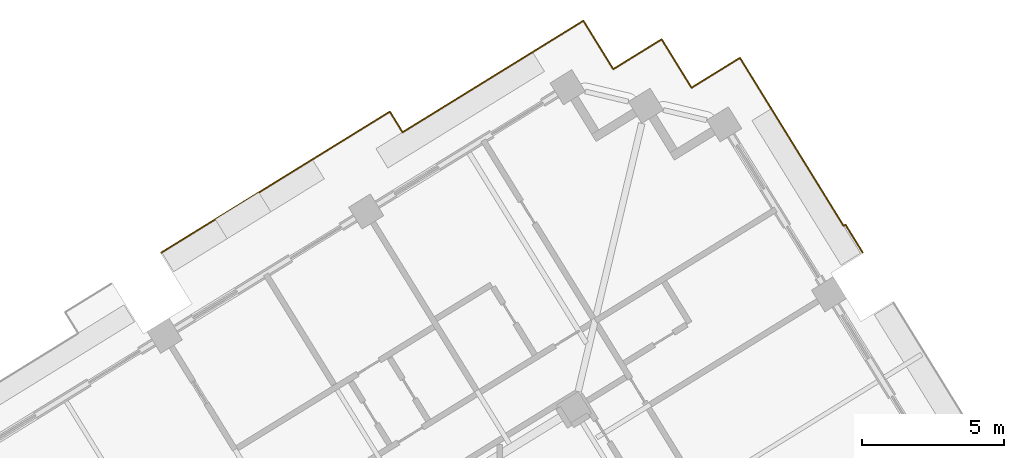
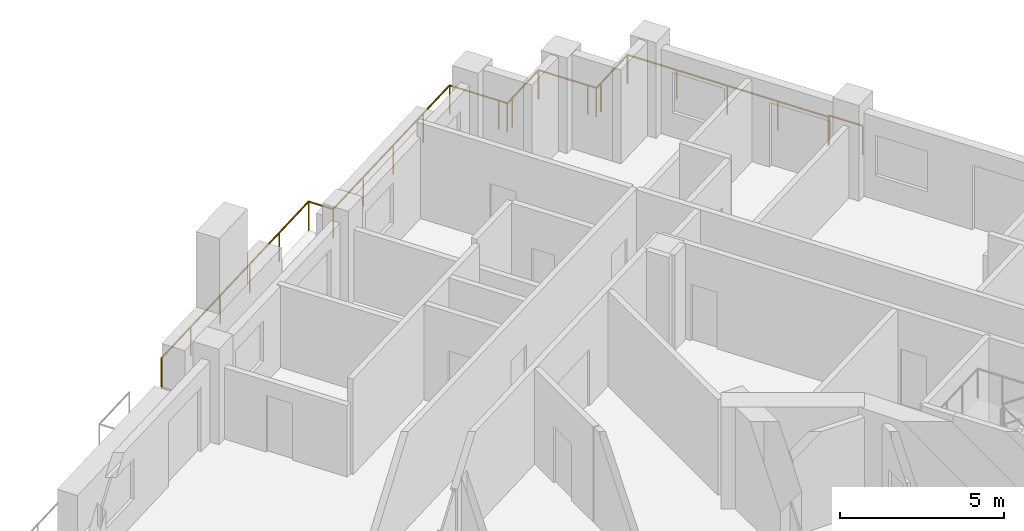
# One storey, part 21 of 22: 2 railings.
"""IFC4 building model written with IfcOpenShell, lengths in metres."""

from ifc_helpers import new_model, si_unit, direction, frame, origin, origin_2d, place, context, subcontext, project, spatial, circle, extrude, material, type_object, element, save


model = new_model("IFC4")

# Units and contexts
model_context = context("Model", 3, precision=1e-05, world=origin(), true_north=direction((0.0, 1.0)))
body_context = subcontext(model_context, "Body", "Model", "MODEL_VIEW")
ifc_project = project(units=[si_unit("LENGTHUNIT", "METRE"), si_unit("AREAUNIT", "SQUARE_METRE"), si_unit("VOLUMEUNIT", "CUBIC_METRE"), si_unit("PLANEANGLEUNIT", "RADIAN"), si_unit("MASSUNIT", "GRAM", prefix="KILO")], contexts=[model_context])

# Site, building, storey
site_placement = place(None, origin())
site = spatial("IfcSite", under=ifc_project, at=site_placement, CompositionType="ELEMENT")
building_placement = place(site_placement, origin())
building = spatial("IfcBuilding", under=site, at=building_placement, Name="Cantera Rosa Tower", CompositionType="ELEMENT")
storey_placement = place(building_placement, frame((0.0, 0.0, 174.199951171875)))
storey = spatial("IfcBuildingStorey", under=building, at=storey_placement, Name="L38", CompositionType="ELEMENT", Elevation=174.199951171875)

# Railings
ifc_material = material(Name="Stainless steel and laminated glass", Category="steel")
railing_type = type_object("IfcRailingType", Name="GUARD 1100", PredefinedType="BALUSTRADE", material=ifc_material)
railing_1_placement = place(storey_placement, frame((12.44873046875, 30.2958984375, 0.0)))
element("IfcRailing", 1, at=railing_1_placement, inside=storey, type_object=railing_type, Name="GUARD L38-14", PredefinedType="BALUSTRADE", context=body_context, shape_type="SweptSolid", body=[
    extrude(circle(Radius=0.030029296875, at=origin_2d()), frame((0.0, 0.0, 1.070068359375), z_axis=(0.524994468487, -0.851105638601, 0.0), x_axis=(0.851105638601, 0.524994468487, 0.0)), (0.0, 0.0, 1.0), 1.7001953125),
    extrude(circle(Radius=0.030029296875, at=origin_2d()), frame((0.892578125, -1.447021484375, 1.070068359375), z_axis=(0.524980961903, -0.85111396983, 0.0), x_axis=(0.85111396983, 0.524980961903, 0.0)), (0.0, 0.0, 1.0), 5.240234375),
    extrude(circle(Radius=0.030029296875, at=origin_2d()), frame((3.6435546875, -5.906982421875, 1.070068359375), z_axis=(0.851763497745, 0.523926468037, 0.0), x_axis=(-0.523926468037, 0.851763497745, 0.0)), (0.0, 0.0, 1.0), 0.07958984375),
    extrude(circle(Radius=0.030029296875, at=origin_2d()), frame((3.71142578125, -5.865234375, 1.070068359375), z_axis=(0.524950242429, -0.851132917336, 0.0), x_axis=(0.851132917336, 0.524950242429, 0.0)), (0.0, 0.0, 1.0), 1.149658203125),
    extrude(circle(Radius=0.02490234375, at=origin_2d()), origin(), (0.0, 0.0, 1.0), 1.0400390625),
    extrude(circle(Radius=0.02490234375, at=origin_2d()), frame((0.892578125, -1.447021484375, 0.0)), (0.0, 0.0, 1.0), 1.0400390625),
    extrude(circle(Radius=0.02490234375, at=origin_2d()), frame((1.8095703125, -2.93359375, 0.0)), (0.0, 0.0, 1.0), 1.0400390625),
    extrude(circle(Radius=0.02490234375, at=origin_2d()), frame((2.7265625, -4.42041015625, 0.0)), (0.0, 0.0, 1.0), 1.0400390625),
    extrude(circle(Radius=0.02490234375, at=origin_2d()), frame((3.6435546875, -5.906982421875, 0.0)), (0.0, 0.0, 1.0), 1.0400390625),
    extrude(circle(Radius=0.02490234375, at=origin_2d()), frame((3.71142578125, -5.865234375, 0.0)), (0.0, 0.0, 1.0), 1.0400390625),
    extrude(circle(Radius=0.02490234375, at=origin_2d()), frame((4.31494140625, -6.84375, 0.0)), (0.0, 0.0, 1.0), 1.0400390625),
])
railing_2_placement = place(storey_placement, frame((-7.895263671875, 23.447998046875, 0.0)))
element("IfcRailing", 2, at=railing_2_placement, inside=storey, type_object=railing_type, Name="GUARD L38-15", PredefinedType="BALUSTRADE", context=body_context, shape_type="SweptSolid", body=[
    extrude(circle(Radius=0.030029296875, at=origin_2d()), frame((0.0, 0.0, 1.070068359375), z_axis=(0.851115414327, 0.524978620035, 0.0), x_axis=(-0.524978620035, 0.851115414327, 0.0)), (0.0, 0.0, 1.0), 9.44189453125),
    extrude(circle(Radius=0.030029296875, at=origin_2d()), frame((8.0361328125, 4.956787109375, 1.070068359375), z_axis=(0.525120578111, -0.851027836469, 0.0), x_axis=(0.851027836469, 0.525120578111, 0.0)), (0.0, 0.0, 1.0), 0.851806640625),
    extrude(circle(Radius=0.030029296875, at=origin_2d()), frame((8.4833984375, 4.23193359375, 1.070068359375), z_axis=(0.851124537433, 0.524963829021, 0.0), x_axis=(-0.524963829021, 0.851124537433, 0.0)), (0.0, 0.0, 1.0), 5.76806640625),
    extrude(circle(Radius=0.030029296875, at=origin_2d()), frame((13.392822265625, 7.260009765625, 1.070068359375), z_axis=(0.851130227454, 0.524954603669, 0.0), x_axis=(-0.524954603669, 0.851130227454, 0.0)), (0.0, 0.0, 1.0), 1.699951171875),
    extrude(circle(Radius=0.030029296875, at=origin_2d()), frame((14.839599609375, 8.15234375, 1.070068359375), z_axis=(0.525058638144, -0.851066052965, 0.0), x_axis=(0.851066052965, 0.525058638144, 0.0)), (0.0, 0.0, 1.0), 1.699951171875),
    extrude(circle(Radius=0.030029296875, at=origin_2d()), frame((15.732177734375, 6.70556640625, 1.070068359375), z_axis=(0.524869051004, -0.85118298814, 0.0), x_axis=(0.85118298814, 0.524869051004, 0.0)), (0.0, 0.0, 1.0), 0.300048828125),
    extrude(circle(Radius=0.030029296875, at=origin_2d()), frame((15.8896484375, 6.4501953125, 1.070068359375), z_axis=(0.85118298814, 0.524869051004, 0.0), x_axis=(-0.524869051004, 0.85118298814, 0.0)), (0.0, 0.0, 1.0), 0.300048828125),
    extrude(circle(Radius=0.030029296875, at=origin_2d()), frame((16.14501953125, 6.607666015625, 1.070068359375), z_axis=(0.851066052965, 0.525058638144, 0.0), x_axis=(-0.525058638144, 0.851066052965, 0.0)), (0.0, 0.0, 1.0), 1.699951171875),
    extrude(circle(Radius=0.030029296875, at=origin_2d()), frame((17.591796875, 7.500244140625, 1.070068359375), z_axis=(0.524994468487, -0.851105638601, 0.0), x_axis=(0.851105638601, 0.524994468487, 0.0)), (0.0, 0.0, 1.0), 1.7001953125),
    extrude(circle(Radius=0.030029296875, at=origin_2d()), frame((18.484375, 6.05322265625, 1.070068359375), z_axis=(0.524869051004, -0.85118298814, 0.0), x_axis=(0.85118298814, 0.524869051004, 0.0)), (0.0, 0.0, 1.0), 0.300048828125),
    extrude(circle(Radius=0.030029296875, at=origin_2d()), frame((18.641845703125, 5.7978515625, 1.070068359375), z_axis=(0.85118298814, 0.524869051004, 0.0), x_axis=(-0.524869051004, 0.85118298814, 0.0)), (0.0, 0.0, 1.0), 0.300048828125),
    extrude(circle(Radius=0.030029296875, at=origin_2d()), frame((18.897216796875, 5.955322265625, 1.070068359375), z_axis=(0.851066052965, 0.525058638144, 0.0), x_axis=(-0.525058638144, 0.851066052965, 0.0)), (0.0, 0.0, 1.0), 1.699951171875),
    extrude(circle(Radius=0.02490234375, at=origin_2d()), origin(), (0.0, 0.0, 1.0), 1.0400390625),
    extrude(circle(Radius=0.02490234375, at=origin_2d()), frame((1.607177734375, 0.991455078125, 0.0)), (0.0, 0.0, 1.0), 1.0400390625),
    extrude(circle(Radius=0.02490234375, at=origin_2d()), frame((3.21435546875, 1.982666015625, 0.0)), (0.0, 0.0, 1.0), 1.0400390625),
    extrude(circle(Radius=0.02490234375, at=origin_2d()), frame((4.82177734375, 2.97412109375, 0.0)), (0.0, 0.0, 1.0), 1.0400390625),
    extrude(circle(Radius=0.02490234375, at=origin_2d()), frame((6.428955078125, 3.96533203125, 0.0)), (0.0, 0.0, 1.0), 1.0400390625),
    extrude(circle(Radius=0.02490234375, at=origin_2d()), frame((8.0361328125, 4.956787109375, 0.0)), (0.0, 0.0, 1.0), 1.0400390625),
    extrude(circle(Radius=0.02490234375, at=origin_2d()), frame((8.4833984375, 4.23193359375, 0.0)), (0.0, 0.0, 1.0), 1.0400390625),
    extrude(circle(Radius=0.02490234375, at=origin_2d()), frame((10.119873046875, 5.2412109375, 0.0)), (0.0, 0.0, 1.0), 1.0400390625),
    extrude(circle(Radius=0.02490234375, at=origin_2d()), frame((11.75634765625, 6.250732421875, 0.0)), (0.0, 0.0, 1.0), 1.0400390625),
    extrude(circle(Radius=0.02490234375, at=origin_2d()), frame((13.392822265625, 7.260009765625, 0.0)), (0.0, 0.0, 1.0), 1.0400390625),
    extrude(circle(Radius=0.02490234375, at=origin_2d()), frame((14.839599609375, 8.15234375, 0.0)), (0.0, 0.0, 1.0), 1.0400390625),
    extrude(circle(Radius=0.02490234375, at=origin_2d()), frame((15.732177734375, 6.70556640625, 0.0)), (0.0, 0.0, 1.0), 1.0400390625),
    extrude(circle(Radius=0.02490234375, at=origin_2d()), frame((15.8896484375, 6.4501953125, 0.0)), (0.0, 0.0, 1.0), 1.0400390625),
    extrude(circle(Radius=0.02490234375, at=origin_2d()), frame((16.14501953125, 6.607666015625, 0.0)), (0.0, 0.0, 1.0), 1.0400390625),
    extrude(circle(Radius=0.02490234375, at=origin_2d()), frame((17.591796875, 7.500244140625, 0.0)), (0.0, 0.0, 1.0), 1.0400390625),
    extrude(circle(Radius=0.02490234375, at=origin_2d()), frame((18.484375, 6.05322265625, 0.0)), (0.0, 0.0, 1.0), 1.0400390625),
    extrude(circle(Radius=0.02490234375, at=origin_2d()), frame((18.641845703125, 5.7978515625, 0.0)), (0.0, 0.0, 1.0), 1.0400390625),
    extrude(circle(Radius=0.02490234375, at=origin_2d()), frame((18.897216796875, 5.955322265625, 0.0)), (0.0, 0.0, 1.0), 1.0400390625),
    extrude(circle(Radius=0.02490234375, at=origin_2d()), frame((20.343994140625, 6.847900390625, 0.0)), (0.0, 0.0, 1.0), 1.0400390625),
])

save(model, "model.ifc")
